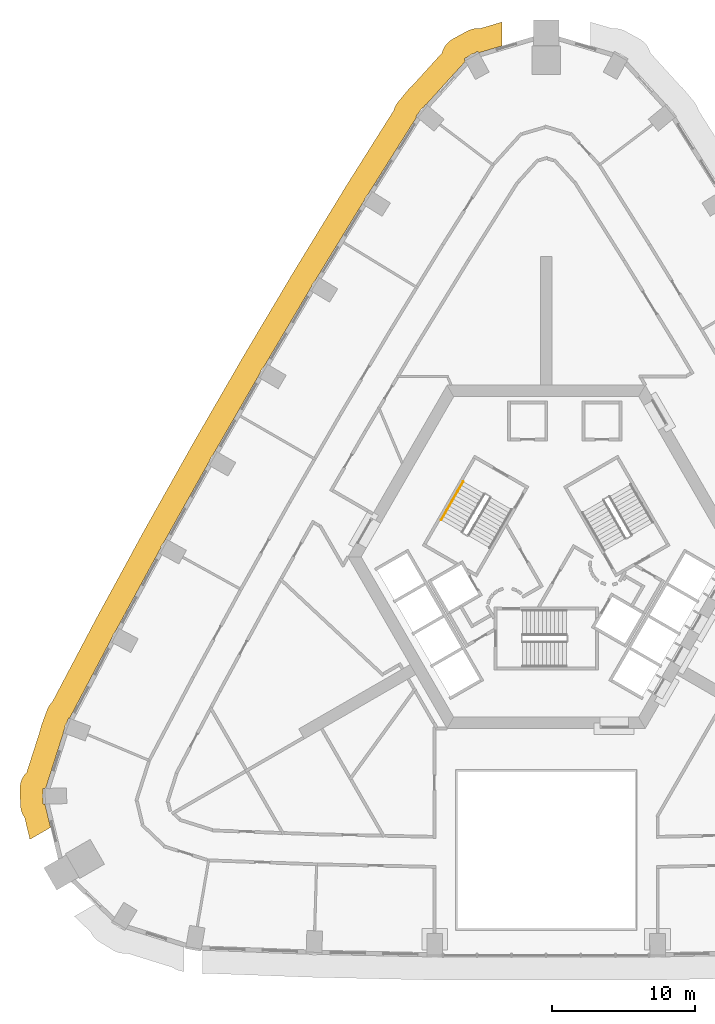
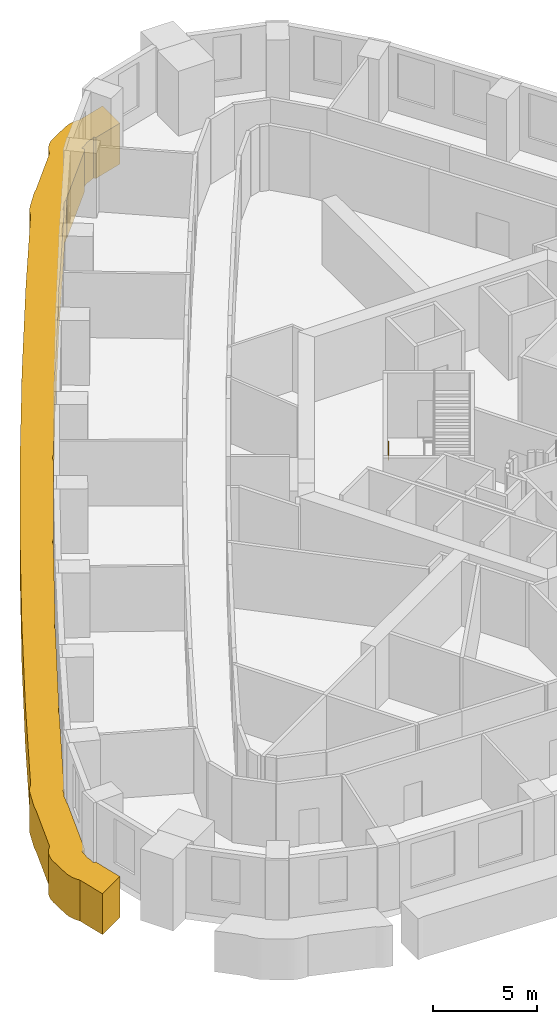
# One storey, part 15 of 17: 1 covering, 1 railing.
"""IFC4 building model written with IfcOpenShell, lengths in metres."""

from ifc_helpers import new_model, si_unit, direction, frame, origin, origin_2d, place, context, subcontext, project, spatial, polyline, circle, outline, extrude, material, type_object, element, save


model = new_model("IFC4")

# Units and contexts
model_context = context("Model", 3, precision=1e-05, world=origin(), true_north=direction((0.0, 1.0)))
body_context = subcontext(model_context, "Body", "Model", "MODEL_VIEW")
ifc_project = project(units=[si_unit("LENGTHUNIT", "METRE"), si_unit("AREAUNIT", "SQUARE_METRE"), si_unit("VOLUMEUNIT", "CUBIC_METRE"), si_unit("PLANEANGLEUNIT", "RADIAN"), si_unit("MASSUNIT", "GRAM", prefix="KILO")], contexts=[model_context])

# Site, building, storey
site_placement = place(None, origin())
site = spatial("IfcSite", under=ifc_project, at=site_placement, CompositionType="ELEMENT")
building_placement = place(site_placement, origin())
building = spatial("IfcBuilding", under=site, at=building_placement, Name="Entoto Arch Interchange Tower", CompositionType="ELEMENT")
storey_placement = place(building_placement, frame((0.0, 0.0, 167.60009765625)))
storey = spatial("IfcBuildingStorey", under=building, at=storey_placement, Name="L37", CompositionType="ELEMENT", Elevation=167.60009765625)

# Covering
ifc_material_1 = material(Name="Board-marked precast concrete C50/60", Category="concrete")
covering_type = type_object("IfcCoveringType", Name="PRECAST FRAME COURSE", PredefinedType="CLADDING", material=ifc_material_1)
covering_placement = place(storey_placement, frame((0.0, 0.0, -2.10009765625)))
element("IfcCovering", 1, at=covering_placement, inside=storey, type_object=covering_type, Name="Slab edge fin L37", PredefinedType="CLADDING", context=body_context, shape_type="SweptSolid", body=[
    extrude(outline(polyline([(-36.718994140625, -15.14111328125), (-36.74609375, -14.986083984375), (-36.757080078125, -14.8291015625), (-36.783935546875, -13.72998046875), (-36.780029296875, -13.572998046875), (-36.760986328125, -13.4169921875), (-36.72607421875, -13.263916015625), (-36.677001953125, -13.114990234375), (-36.613037109375, -12.970947265625), (-36.535888671875, -12.8349609375), (-36.445068359375, -12.7060546875), (-36.343017578125, -12.5869140625), (-36.31201171875, -12.55810546875), (-35.35595703125, -9.573974609375), (-35.35302734375, -9.5458984375), (-35.321044921875, -9.39208984375), (-35.27294921875, -9.241943359375), (-34.89208984375, -8.2109375), (-34.8310546875, -8.06591796875), (-34.7548828125, -7.927978515625), (-34.6669921875, -7.799072265625), (-34.56591796875, -7.677978515625), (-34.52392578125, -7.637939453125), (-31.925048828125, -2.7080078125), (-31.905029296875, -2.666015625), (-31.387939453125, -1.695068359375), (-31.381103515625, -1.680908203125), (-28.553955078125, 3.509033203125), (-28.527099609375, 3.56396484375), (-27.9970703125, 4.528076171875), (-27.989990234375, 4.5400390625), (-25.10107421875, 9.68505859375), (-25.069091796875, 9.748046875), (-24.52490234375, 10.705078125), (-24.51904296875, 10.715087890625), (-21.574951171875, 15.80908203125), (-21.532958984375, 15.887939453125), (-20.97705078125, 16.8369140625), (-20.971923828125, 16.845947265625), (-17.968994140625, 21.89111328125), (-17.919921875, 21.98193359375), (-17.635009765625, 22.451904296875), (-17.35009765625, 22.923095703125), (-17.344970703125, 22.929931640625), (-14.283935546875, 27.927001953125), (-14.22705078125, 28.030029296875), (-13.64404296875, 28.962890625), (-13.639892578125, 28.968994140625), (-10.64697265625, 33.718994140625), (-10.633056640625, 33.77490234375), (-10.5791015625, 33.922119140625), (-10.510986328125, 34.06396484375), (-10.428955078125, 34.197998046875), (-10.3349609375, 34.322998046875), (-9.632080078125, 35.169921875), (-9.52587890625, 35.284912109375), (-9.408935546875, 35.389892578125), (-9.386962890625, 35.406005859375), (-7.281005859375, 37.72705078125), (-7.27099609375, 37.76806640625), (-7.218994140625, 37.916015625), (-7.153076171875, 38.05908203125), (-7.073974609375, 38.194091796875), (-6.98095703125, 38.321044921875), (-6.876953125, 38.43798828125), (-6.760986328125, 38.544921875), (-6.635986328125, 38.638916015625), (-6.501953125, 38.720947265625), (-5.537109375, 39.248046875), (-5.39501953125, 39.31591796875), (-5.248046875, 39.3701171875), (-5.095947265625, 39.409912109375), (-4.94091796875, 39.43408203125), (-4.783935546875, 39.443115234375), (-4.626953125, 39.43701171875), (-4.617919921875, 39.43603515625), (-3.10498046875, 39.883056640625), (-3.10498046875, 38.214111328125), (-4.712890625, 37.739013671875), (-4.77001953125, 37.843017578125), (-5.032958984375, 37.699951171875), (-5.093017578125, 37.68505859375), (-5.179931640625, 37.654052734375), (-5.262939453125, 37.614990234375), (-5.341064453125, 37.56689453125), (-5.4150390625, 37.512939453125), (-5.47412109375, 37.458984375), (-5.736083984375, 37.31689453125), (-5.666015625, 37.18896484375), (-5.68603515625, 37.14794921875), (-5.7119140625, 37.073974609375), (-8.383056640625, 34.132080078125), (-8.402099609375, 34.14697265625), (-8.592041015625, 33.91796875), (-8.654052734375, 33.8720703125), (-8.721923828125, 33.81005859375), (-8.783935546875, 33.741943359375), (-8.837890625, 33.66796875), (-8.885986328125, 33.590087890625), (-8.9140625, 33.531005859375), (-9.10400390625, 33.301025390625), (-9.049072265625, 33.2548828125), (-12.284912109375, 28.114013671875), (-12.287109375, 28.115966796875), (-12.446044921875, 27.861083984375), (-12.47607421875, 27.8330078125), (-12.5380859375, 27.764892578125), (-12.592041015625, 27.69091796875), (-12.639892578125, 27.613037109375), (-12.678955078125, 27.530029296875), (-12.7099609375, 27.443115234375), (-12.7119140625, 27.43408203125), (-12.868896484375, 27.181884765625), (-12.864990234375, 27.179931640625), (-15.97900390625, 22.093017578125), (-15.98095703125, 22.094970703125), (-16.136962890625, 21.837890625), (-16.156982421875, 21.819091796875), (-16.218994140625, 21.7509765625), (-16.27294921875, 21.677001953125), (-16.321044921875, 21.59912109375), (-16.360107421875, 21.51611328125), (-16.39111328125, 21.428955078125), (-16.39599609375, 21.409912109375), (-16.551025390625, 21.153076171875), (-16.547119140625, 21.15087890625), (-19.593994140625, 16.02587890625), (-19.596923828125, 16.027099609375), (-19.7470703125, 15.77099609375), (-19.760009765625, 15.759033203125), (-19.822021484375, 15.69091796875), (-19.8759765625, 15.616943359375), (-19.924072265625, 15.5390625), (-19.962890625, 15.4560546875), (-19.993896484375, 15.368896484375), (-20.001953125, 15.3359375), (-20.153076171875, 15.0791015625), (-20.14990234375, 15.076904296875), (-23.131103515625, 9.912109375), (-23.134033203125, 9.9140625), (-23.281982421875, 9.654052734375), (-23.283935546875, 9.652099609375), (-23.345947265625, 9.583984375), (-23.39990234375, 9.510009765625), (-23.447998046875, 9.431884765625), (-23.487060546875, 9.34912109375), (-23.51806640625, 9.261962890625), (-23.528076171875, 9.220947265625), (-23.677978515625, 8.9580078125), (-23.675048828125, 8.9560546875), (-26.591064453125, 3.7548828125), (-26.594970703125, 3.757080078125), (-26.739013671875, 3.493896484375), (-26.7939453125, 3.43408203125), (-26.847900390625, 3.360107421875), (-26.89599609375, 3.281982421875), (-26.93505859375, 3.198974609375), (-26.966064453125, 3.112060546875), (-26.97900390625, 3.05810546875), (-27.125, 2.79296875), (-27.123046875, 2.7919921875), (-29.970947265625, -2.448974609375), (-29.97607421875, -2.446044921875), (-30.115966796875, -2.7099609375), (-30.1630859375, -2.761962890625), (-30.217041015625, -2.8359375), (-30.264892578125, -2.9140625), (-30.303955078125, -2.9970703125), (-30.3349609375, -3.083984375), (-30.35302734375, -3.155029296875), (-30.491943359375, -3.41796875), (-30.490966796875, -3.4189453125), (-33.322998046875, -8.7900390625), (-33.39111328125, -8.764892578125), (-33.4951171875, -9.0458984375), (-33.514892578125, -9.073974609375), (-33.56298828125, -9.152099609375), (-33.60205078125, -9.235107421875), (-33.633056640625, -9.322021484375), (-33.655029296875, -9.410888671875), (-33.6689453125, -9.5009765625), (-33.6689453125, -9.51708984375), (-33.77294921875, -9.797119140625), (-33.75, -9.804931640625), (-34.962890625, -13.592041015625), (-34.993896484375, -13.6259765625), (-35.0400390625, -13.68798828125), (-35.18408203125, -13.69091796875), (-35.177001953125, -13.991943359375), (-35.18798828125, -14.037109375), (-35.201904296875, -14.126953125), (-35.2060546875, -14.218994140625), (-35.201904296875, -14.31103515625), (-35.18798828125, -14.40087890625), (-35.166015625, -14.489990234375), (-35.1650390625, -14.492919921875), (-35.157958984375, -14.791015625), (-35.0390625, -14.7880859375), (-34.64697265625, -16.4169921875), (-36.092041015625, -17.2509765625), (-36.4609375, -15.718017578125), (-36.466064453125, -15.7119140625), (-36.550048828125, -15.5791015625), (-36.62109375, -15.43896484375), (-36.677001953125, -15.2919921875), (-36.718994140625, -15.14111328125)])), origin(), (0.0, 0.0, 1.0), 2.39990234375),
])

# Railing
ifc_material_2 = material(Name="Stainless steel 1.4301", Category="steel")
railing_type = type_object("IfcRailingType", Name="STAIR HANDRAIL 900 STEEL", PredefinedType="HANDRAIL", material=ifc_material_2)
railing_placement = place(storey_placement, frame((-5.800048828125, 7.75390625, 0.1748046875)))
element("IfcRailing", 2, at=railing_placement, inside=storey, type_object=railing_type, Name="L37 ST-NW stair handrail 1", PredefinedType="HANDRAIL", context=body_context, shape_type="SweptSolid", body=[
    extrude(circle(Radius=0.02392578125, at=origin_2d()), frame((0.0, 0.0, 0.8759765625), z_axis=(-0.424015404183, -0.734364028329, 0.530019255228), x_axis=(0.866010015463, -0.500026652407, 0.0)), (0.0, 0.0, 1.0), 3.632080078125),
    extrude(circle(Radius=0.02099609375, at=origin_2d()), origin(), (0.0, 0.0, 1.0), 0.851806640625),
    extrude(circle(Radius=0.02099609375, at=origin_2d()), frame((-0.385009765625, -0.666748046875, 0.481201171875)), (0.0, 0.0, 1.0), 0.851806640625),
    extrude(circle(Radius=0.02099609375, at=origin_2d()), frame((-0.77001953125, -1.33349609375, 0.96240234375)), (0.0, 0.0, 1.0), 0.851806640625),
    extrude(circle(Radius=0.02099609375, at=origin_2d()), frame((-1.155029296875, -2.00048828125, 1.44384765625)), (0.0, 0.0, 1.0), 0.851806640625),
    extrude(circle(Radius=0.02099609375, at=origin_2d()), frame((-1.5400390625, -2.667236328125, 1.925048828125)), (0.0, 0.0, 1.0), 0.851806640625),
])

save(model, "model.ifc")
